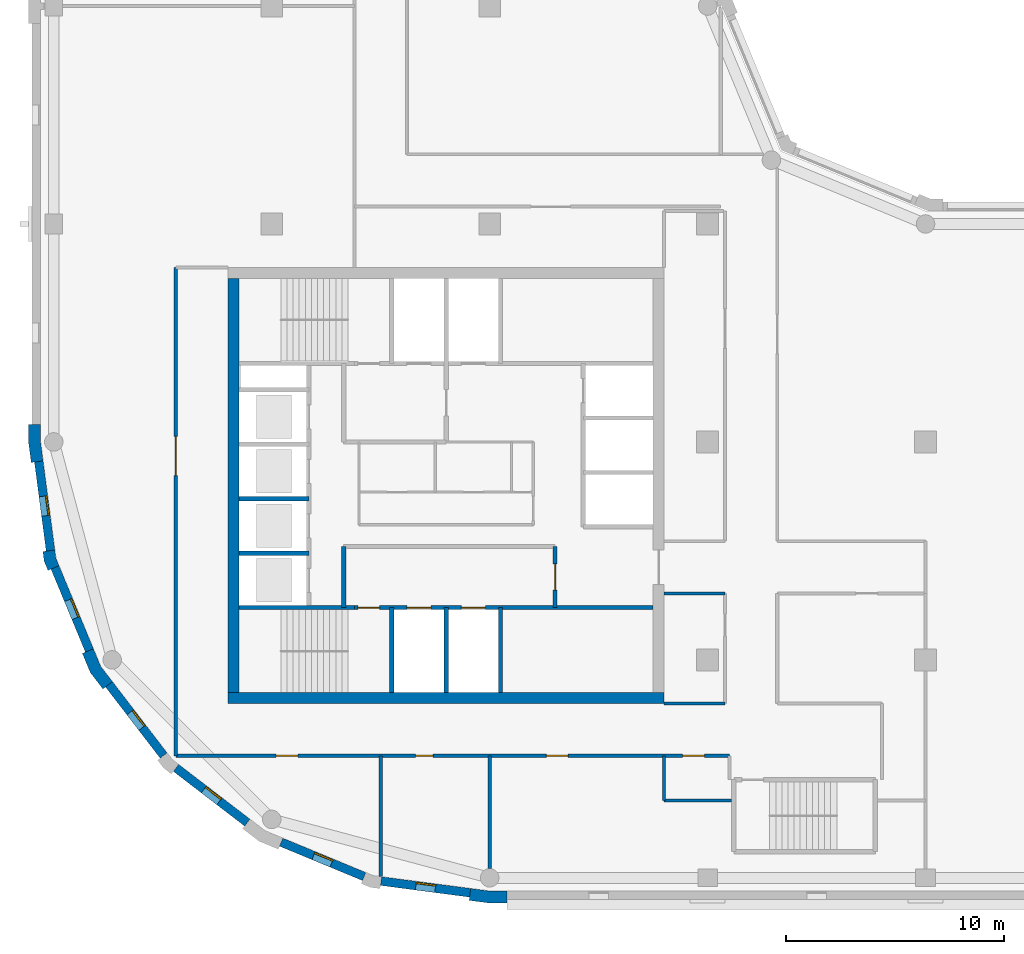
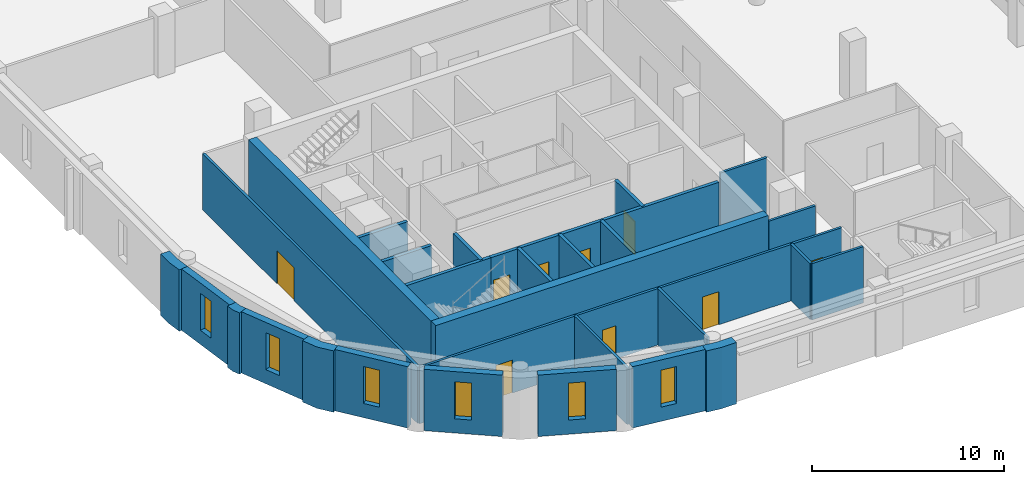
# One storey, part 2 of 9: 29 walls, 9 doors, 6 windows, 15 openings.
"""IFC4 building model written with IfcOpenShell, lengths in metres."""

from ifc_helpers import new_model, si_unit, direction, frame, frame_2d, origin, place, context, subcontext, project, spatial, polyline, rectangle, outline, extrude, material, layer, layer_set, type_object, element, fill, save


model = new_model("IFC4")

# Units and contexts
model_context = context("Model", 3, precision=1e-05, world=origin(), true_north=direction((0.0, 1.0)))
body_context = subcontext(model_context, "Body", "Model", "MODEL_VIEW")
ifc_project = project(units=[si_unit("LENGTHUNIT", "METRE"), si_unit("AREAUNIT", "SQUARE_METRE"), si_unit("VOLUMEUNIT", "CUBIC_METRE"), si_unit("PLANEANGLEUNIT", "RADIAN"), si_unit("MASSUNIT", "GRAM", prefix="KILO")], contexts=[model_context])

# Site, building, storey
site_placement = place(None, origin())
site = spatial("IfcSite", under=ifc_project, at=site_placement, CompositionType="ELEMENT")
building_placement = place(site_placement, origin())
building = spatial("IfcBuilding", under=site, at=building_placement, Name="Qaws Garden Tower", CompositionType="ELEMENT")
storey_placement = place(building_placement, frame((0.0, 0.0, 259.199951171875)))
storey = spatial("IfcBuildingStorey", under=building, at=storey_placement, Name="L62", CompositionType="ELEMENT", Elevation=259.199951171875)

# Wall, opening, window
ifc_material_1 = material(Name="Clay facing brick masonry", Category="masonry")
ifc_layer_1 = layer(ifc_material_1, 0.39990234375)
ifc_layer_set_1 = layer_set([ifc_layer_1], Name="Clay facing brick masonry")
wall_type_1 = type_object("IfcWallType", Name="Brick infill wall 400", PredefinedType="SOLIDWALL", material=ifc_layer_set_1)
wall_1_placement = place(storey_placement, frame((-0.688720703125, 19.102294921875, 0.0), z_axis=(0.0, 0.0, 1.0), x_axis=(0.130514280502, -0.991446429508, 0.0)))
wall_1 = element("IfcWall", 1, at=wall_1_placement, inside=storey, type_object=wall_type_1, Name="E-L62-infill-23", PredefinedType="SOLIDWALL", context=body_context, shape_type="SweptSolid", body=[
    extrude(rectangle(XDim=4.120849609375, YDim=0.39990234375, at=frame_2d((2.060546875, 0.0))), origin(), (0.0, 0.0, 1.0), 3.900146484375),
])
opening_1_placement = place(wall_1_placement, frame((1.610595703125, 0.0, 0.89990234375)))
opening_1 = element("IfcOpeningElement", 2, at=opening_1_placement, cuts=wall_1, Name="Opening W09", PredefinedType="OPENING", context=body_context, shape_type="SweptSolid", body=[
    extrude(rectangle(XDim=0.89990234375, YDim=2.35009765625, at=frame_2d((0.449951171875, 1.175048828125))), frame((0.0, 0.2099609375, 0.0), z_axis=(0.0, -1.0, 0.0), x_axis=(1.0, 0.0, 0.0)), (0.0, 0.0, 1.0), 0.419921875),
])
ifc_material_2 = material(Name="Aluminium framed window, clear glazing", Category="aluminium")
window_type = type_object("IfcWindowType", Name="Slit window 900 x 2350", PartitioningType="SINGLE_PANEL", PredefinedType="WINDOW", material=ifc_material_2)
window_1_placement = place(opening_1_placement, origin())
window_1 = element("IfcWindow", 3, at=window_1_placement, inside=storey, type_object=window_type, Name="E-L62-window-23-0", OverallHeight=2.35009765625, OverallWidth=0.89990234375, PartitioningType="SINGLE_PANEL", PredefinedType="WINDOW", context=body_context, shape_type="SweptSolid", body=[
    extrude(rectangle(XDim=0.89990234375, YDim=2.35009765625, at=frame_2d((0.449951171875, 1.175048828125))), frame((0.0, 0.159912109375, 0.0), z_axis=(0.0, -1.0, 0.0), x_axis=(1.0, 0.0, 0.0)), (0.0, 0.0, 1.0), 0.06005859375),
])
fill(opening_1, window_1)

wall_2_placement = place(storey_placement, frame((0.05712890625, 14.240234375, 0.0), z_axis=(0.0, 0.0, 1.0), x_axis=(0.382721546029, -0.923863744394, 0.0)))
wall_2 = element("IfcWall", 4, at=wall_2_placement, inside=storey, type_object=wall_type_1, Name="E-L62-infill-24", PredefinedType="SOLIDWALL", context=body_context, shape_type="SweptSolid", body=[
    extrude(rectangle(XDim=4.120849609375, YDim=0.39990234375, at=frame_2d((2.060546875, 0.0))), origin(), (0.0, 0.0, 1.0), 3.900146484375),
])
opening_2_placement = place(wall_2_placement, frame((1.610595703125, 0.0, 0.89990234375)))
opening_2 = element("IfcOpeningElement", 5, at=opening_2_placement, cuts=wall_2, Name="Opening W09", PredefinedType="OPENING", context=body_context, shape_type="SweptSolid", body=[
    extrude(rectangle(XDim=0.89990234375, YDim=2.35009765625, at=frame_2d((0.449951171875, 1.175048828125))), frame((0.0, 0.2099609375, 0.0), z_axis=(0.0, -1.0, 0.0), x_axis=(1.0, 0.0, 0.0)), (0.0, 0.0, 1.0), 0.419921875),
])
window_2_placement = place(opening_2_placement, origin())
window_2 = element("IfcWindow", 6, at=window_2_placement, inside=storey, type_object=window_type, Name="E-L62-window-24-0", OverallHeight=2.35009765625, OverallWidth=0.89990234375, PartitioningType="SINGLE_PANEL", PredefinedType="WINDOW", context=body_context, shape_type="SweptSolid", body=[
    extrude(rectangle(XDim=0.89990234375, YDim=2.35009765625, at=frame_2d((0.449951171875, 1.175048828125))), frame((0.0, 0.159912109375, 0.0), z_axis=(0.0, -1.0, 0.0), x_axis=(1.0, 0.0, 0.0)), (0.0, 0.0, 1.0), 0.06005859375),
])
fill(opening_2, window_2)

wall_3_placement = place(storey_placement, frame((2.53173828125, 8.87841796875, 0.0), z_axis=(0.0, 0.0, 1.0), x_axis=(0.608759824817, -0.793354571229, 0.0)))
wall_3 = element("IfcWall", 7, at=wall_3_placement, inside=storey, type_object=wall_type_1, Name="E-L62-infill-25", PredefinedType="SOLIDWALL", context=body_context, shape_type="SweptSolid", body=[
    extrude(rectangle(XDim=4.12109375, YDim=0.39990234375, at=frame_2d((2.060546875, 0.0))), origin(), (0.0, 0.0, 1.0), 3.900146484375),
])
opening_3_placement = place(wall_3_placement, frame((1.610595703125, 0.0, 0.89990234375)))
opening_3 = element("IfcOpeningElement", 8, at=opening_3_placement, cuts=wall_3, Name="Opening W09", PredefinedType="OPENING", context=body_context, shape_type="SweptSolid", body=[
    extrude(rectangle(XDim=0.89990234375, YDim=2.35009765625, at=frame_2d((0.449951171875, 1.175048828125))), frame((0.0, 0.2099609375, 0.0), z_axis=(0.0, -1.0, 0.0), x_axis=(1.0, 0.0, 0.0)), (0.0, 0.0, 1.0), 0.419921875),
])
window_3_placement = place(opening_3_placement, origin())
window_3 = element("IfcWindow", 9, at=window_3_placement, inside=storey, type_object=window_type, Name="E-L62-window-25-0", OverallHeight=2.35009765625, OverallWidth=0.89990234375, PartitioningType="SINGLE_PANEL", PredefinedType="WINDOW", context=body_context, shape_type="SweptSolid", body=[
    extrude(rectangle(XDim=0.89990234375, YDim=2.35009765625, at=frame_2d((0.449951171875, 1.175048828125))), frame((0.0, 0.159912109375, 0.0), z_axis=(0.0, -1.0, 0.0), x_axis=(1.0, 0.0, 0.0)), (0.0, 0.0, 1.0), 0.06005859375),
])
fill(opening_3, window_3)

wall_4_placement = place(storey_placement, frame((5.60888671875, 5.04052734375, 0.0), z_axis=(0.0, 0.0, 1.0), x_axis=(0.793354571229, -0.608759824817, 0.0)))
wall_4 = element("IfcWall", 10, at=wall_4_placement, inside=storey, type_object=wall_type_1, Name="E-L62-infill-26", PredefinedType="SOLIDWALL", context=body_context, shape_type="SweptSolid", body=[
    extrude(rectangle(XDim=4.12109375, YDim=0.39990234375, at=frame_2d((2.060546875, 0.0))), origin(), (0.0, 0.0, 1.0), 3.900146484375),
])
opening_4_placement = place(wall_4_placement, frame((1.610595703125, 0.0, 0.89990234375)))
opening_4 = element("IfcOpeningElement", 11, at=opening_4_placement, cuts=wall_4, Name="Opening W09", PredefinedType="OPENING", context=body_context, shape_type="SweptSolid", body=[
    extrude(rectangle(XDim=0.89990234375, YDim=2.35009765625, at=frame_2d((0.449951171875, 1.175048828125))), frame((0.0, 0.2099609375, 0.0), z_axis=(0.0, -1.0, 0.0), x_axis=(1.0, 0.0, 0.0)), (0.0, 0.0, 1.0), 0.419921875),
])
window_4_placement = place(opening_4_placement, origin())
window_4 = element("IfcWindow", 12, at=window_4_placement, inside=storey, type_object=window_type, Name="E-L62-window-26-0", OverallHeight=2.35009765625, OverallWidth=0.89990234375, PartitioningType="SINGLE_PANEL", PredefinedType="WINDOW", context=body_context, shape_type="SweptSolid", body=[
    extrude(rectangle(XDim=0.89990234375, YDim=2.35009765625, at=frame_2d((0.449951171875, 1.175048828125))), frame((0.0, 0.159912109375, 0.0), z_axis=(0.0, -1.0, 0.0), x_axis=(1.0, 0.0, 0.0)), (0.0, 0.0, 1.0), 0.06005859375),
])
fill(opening_4, window_4)

wall_5_placement = place(storey_placement, frame((10.43310546875, 1.63427734375, 0.0), z_axis=(0.0, 0.0, 1.0), x_axis=(0.923863744394, -0.382721546029, 0.0)))
wall_5 = element("IfcWall", 13, at=wall_5_placement, inside=storey, type_object=wall_type_1, Name="E-L62-infill-27", PredefinedType="SOLIDWALL", context=body_context, shape_type="SweptSolid", body=[
    extrude(rectangle(XDim=4.120849609375, YDim=0.39990234375, at=frame_2d((2.060546875, 0.0))), origin(), (0.0, 0.0, 1.0), 3.900146484375),
])
opening_5_placement = place(wall_5_placement, frame((1.610595703125, 0.0, 0.89990234375)))
opening_5 = element("IfcOpeningElement", 14, at=opening_5_placement, cuts=wall_5, Name="Opening W09", PredefinedType="OPENING", context=body_context, shape_type="SweptSolid", body=[
    extrude(rectangle(XDim=0.89990234375, YDim=2.35009765625, at=frame_2d((0.449951171875, 1.175048828125))), frame((0.0, 0.2099609375, 0.0), z_axis=(0.0, -1.0, 0.0), x_axis=(1.0, 0.0, 0.0)), (0.0, 0.0, 1.0), 0.419921875),
])
window_5_placement = place(opening_5_placement, origin())
window_5 = element("IfcWindow", 15, at=window_5_placement, inside=storey, type_object=window_type, Name="E-L62-window-27-0", OverallHeight=2.35009765625, OverallWidth=0.89990234375, PartitioningType="SINGLE_PANEL", PredefinedType="WINDOW", context=body_context, shape_type="SweptSolid", body=[
    extrude(rectangle(XDim=0.89990234375, YDim=2.35009765625, at=frame_2d((0.449951171875, 1.175048828125))), frame((0.0, 0.159912109375, 0.0), z_axis=(0.0, -1.0, 0.0), x_axis=(1.0, 0.0, 0.0)), (0.0, 0.0, 1.0), 0.06005859375),
])
fill(opening_5, window_5)

wall_6_placement = place(storey_placement, frame((15.0166015625, -0.15087890625, 0.0), z_axis=(0.0, 0.0, 1.0), x_axis=(0.991446429508, -0.130514280502, 0.0)))
wall_6 = element("IfcWall", 16, at=wall_6_placement, inside=storey, type_object=wall_type_1, Name="E-L62-infill-28", PredefinedType="SOLIDWALL", context=body_context, shape_type="SweptSolid", body=[
    extrude(rectangle(XDim=4.120849609375, YDim=0.39990234375, at=frame_2d((2.060546875, 0.0))), origin(), (0.0, 0.0, 1.0), 3.900146484375),
])
opening_6_placement = place(wall_6_placement, frame((1.610595703125, 0.0, 0.89990234375)))
opening_6 = element("IfcOpeningElement", 17, at=opening_6_placement, cuts=wall_6, Name="Opening W09", PredefinedType="OPENING", context=body_context, shape_type="SweptSolid", body=[
    extrude(rectangle(XDim=0.89990234375, YDim=2.35009765625, at=frame_2d((0.449951171875, 1.175048828125))), frame((0.0, 0.2099609375, 0.0), z_axis=(0.0, -1.0, 0.0), x_axis=(1.0, 0.0, 0.0)), (0.0, 0.0, 1.0), 0.419921875),
])
window_6_placement = place(opening_6_placement, origin())
window_6 = element("IfcWindow", 18, at=window_6_placement, inside=storey, type_object=window_type, Name="E-L62-window-28-0", OverallHeight=2.35009765625, OverallWidth=0.89990234375, PartitioningType="SINGLE_PANEL", PredefinedType="WINDOW", context=body_context, shape_type="SweptSolid", body=[
    extrude(rectangle(XDim=0.89990234375, YDim=2.35009765625, at=frame_2d((0.449951171875, 1.175048828125))), frame((0.0, 0.159912109375, 0.0), z_axis=(0.0, -1.0, 0.0), x_axis=(1.0, 0.0, 0.0)), (0.0, 0.0, 1.0), 0.06005859375),
])
fill(opening_6, window_6)

# Walls
ifc_material_3 = material(Name="Clay facing brick masonry", Category="masonry")
ifc_layer_2 = layer(ifc_material_3, 0.550048828125)
ifc_layer_set_2 = layer_set([ifc_layer_2], Name="Clay facing brick masonry")
wall_type_2 = type_object("IfcWallType", Name="Brick kink pier 550 x 600", PredefinedType="SOLIDWALL", material=ifc_layer_set_2)
placement = place(storey_placement, origin())
element("IfcWall", 19, at=placement, inside=storey, type_object=wall_type_2, Name="E-L62-pier-24", PredefinedType="SOLIDWALL", context=body_context, shape_type="SweptSolid", body=[
    extrude(outline(polyline([(-0.34912109375, 14.990478515625), (-0.497802734375, 14.970947265625), (-0.43896484375, 14.5234375), (-0.26611328125, 14.1064453125), (-0.127685546875, 14.163818359375), (0.241943359375, 14.31689453125), (0.096923828125, 14.6669921875), (0.04736328125, 15.042724609375), (-0.34912109375, 14.990478515625)])), origin(), (0.0, 0.0, 1.0), 3.900146484375),
])
ifc_material_4 = material(Name="Clay facing brick masonry", Category="masonry")
ifc_layer_3 = layer(ifc_material_4, 0.550048828125)
ifc_layer_set_3 = layer_set([ifc_layer_3], Name="Clay facing brick masonry")
wall_type_3 = type_object("IfcWallType", Name="Brick pier 550 x 1600", PredefinedType="SOLIDWALL", material=ifc_layer_set_3)
element("IfcWall", 20, at=placement, inside=storey, type_object=wall_type_3, Name="E-L62-pier-00", PredefinedType="SOLIDWALL", context=body_context, shape_type="SweptSolid", body=[
    extrude(outline(polyline([(19.076416015625, -0.886962890625), (19.056640625, -1.03564453125), (19.924560546875, -1.14990234375), (20.800048828125, -1.14990234375), (20.800048828125, -1.0), (20.800048828125, -0.60009765625), (19.960693359375, -0.60009765625), (19.12841796875, -0.490478515625), (19.076416015625, -0.886962890625)])), origin(), (0.0, 0.0, 1.0), 3.900146484375),
])
element("IfcWall", 21, at=placement, inside=storey, type_object=wall_type_3, Name="E-L62-pier-23", PredefinedType="SOLIDWALL", context=body_context, shape_type="SweptSolid", body=[
    extrude(outline(polyline([(-1.0, 20.800048828125), (-1.14990234375, 20.800048828125), (-1.14990234375, 19.924560546875), (-1.03564453125, 19.056640625), (-0.886962890625, 19.076416015625), (-0.490478515625, 19.12841796875), (-0.60009765625, 19.960693359375), (-0.60009765625, 20.800048828125), (-1.0, 20.800048828125)])), origin(), (0.0, 0.0, 1.0), 3.900146484375),
])
element("IfcWall", 22, at=placement, inside=storey, type_object=wall_type_3, Name="E-L62-pier-25", PredefinedType="SOLIDWALL", context=body_context, shape_type="SweptSolid", body=[
    extrude(outline(polyline([(1.449462890625, 10.3564453125), (1.310791015625, 10.299072265625), (1.675048828125, 9.419921875), (2.254150390625, 8.665283203125), (2.373046875, 8.756591796875), (2.6904296875, 9.0), (2.1552734375, 9.697509765625), (1.819091796875, 10.509521484375), (1.449462890625, 10.3564453125)])), origin(), (0.0, 0.0, 1.0), 3.900146484375),
])
ifc_material_5 = material(Name="Concrete C60", Category="concrete")
ifc_layer_4 = layer(ifc_material_5, 0.199951171875)
ifc_layer_set_4 = layer_set([ifc_layer_4], Name="Concrete C60")
wall_type_4 = type_object("IfcWallType", Name="Core shaft wall 200 C60", PredefinedType="SHEAR", material=ifc_layer_set_4)
wall_11_placement = place(storey_placement, frame((8.5, 12.39990234375, 0.0), z_axis=(0.0, 0.0, 1.0), x_axis=(1.0, 0.0, 0.0)))
element("IfcWall", 23, at=wall_11_placement, inside=storey, type_object=wall_type_4, Name="Shaft wall", PredefinedType="SHEAR", context=body_context, shape_type="SweptSolid", body=[
    extrude(rectangle(XDim=5.300048828125, YDim=0.199951171875, at=frame_2d((2.64990234375, 0.0))), origin(), (0.0, 0.0, 1.0), 3.580078125),
])

# Wall, openings, doors
wall_12_placement = place(storey_placement, frame((13.800048828125, 12.39990234375, 0.0), z_axis=(0.0, 0.0, 1.0), x_axis=(1.0, 0.0, 0.0)))
wall_12 = element("IfcWall", 24, at=wall_12_placement, inside=storey, type_object=wall_type_4, Name="Shaft wall", PredefinedType="SHEAR", context=body_context, shape_type="SweptSolid", body=[
    extrude(rectangle(XDim=13.699951171875, YDim=0.199951171875, at=frame_2d((6.85009765625, 0.0))), origin(), (0.0, 0.0, 1.0), 3.580078125),
])
opening_7_placement = place(wall_12_placement, frame((2.39990234375, 0.0, 0.0)))
opening_7 = element("IfcOpeningElement", 25, at=opening_7_placement, cuts=wall_12, Name="Opening LD06", PredefinedType="OPENING", context=body_context, shape_type="SweptSolid", body=[
    extrude(rectangle(XDim=1.10009765625, YDim=2.10009765625, at=frame_2d((0.550048828125, 1.050048828125))), frame((0.0, 0.10986328125, 0.0), z_axis=(0.0, -1.0, 0.0), x_axis=(1.0, 0.0, 0.0)), (0.0, 0.0, 1.0), 0.219970703125),
])
opening_8_placement = place(wall_12_placement, frame((4.89990234375, 0.0, 0.0)))
opening_8 = element("IfcOpeningElement", 26, at=opening_8_placement, cuts=wall_12, Name="Opening LD07", PredefinedType="OPENING", context=body_context, shape_type="SweptSolid", body=[
    extrude(rectangle(XDim=1.10009765625, YDim=2.10009765625, at=frame_2d((0.550048828125, 1.050048828125))), frame((0.0, 0.10986328125, 0.0), z_axis=(0.0, -1.0, 0.0), x_axis=(1.0, 0.0, 0.0)), (0.0, 0.0, 1.0), 0.219970703125),
])
opening_9_placement = place(wall_12_placement, frame((0.14990234375, 0.0, 0.0)))
opening_9 = element("IfcOpeningElement", 27, at=opening_9_placement, cuts=wall_12, Name="Opening SD10", PredefinedType="OPENING", context=body_context, shape_type="SweptSolid", body=[
    extrude(rectangle(XDim=1.0, YDim=2.10009765625, at=frame_2d((0.5, 1.050048828125))), frame((0.0, 0.10986328125, 0.0), z_axis=(0.0, -1.0, 0.0), x_axis=(1.0, 0.0, 0.0)), (0.0, 0.0, 1.0), 0.219970703125),
])
ifc_material_6 = material(Name="Steel S235", Category="steel")
door_type_1 = type_object("IfcDoorType", Name="Landing door 1100x2100", OperationType="DOUBLE_DOOR_SLIDING", PredefinedType="DOOR", material=ifc_material_6)
door_1_placement = place(opening_7_placement, origin())
door_1 = element("IfcDoor", 28, at=door_1_placement, inside=storey, type_object=door_type_1, Name="Lift FF1 landing door", OperationType="DOUBLE_DOOR_SLIDING", OverallHeight=2.10009765625, OverallWidth=1.10009765625, PredefinedType="DOOR", context=body_context, shape_type="SweptSolid", body=[
    extrude(rectangle(XDim=1.10009765625, YDim=2.10009765625, at=frame_2d((0.550048828125, 1.050048828125))), frame((0.0, 0.02490234375, 0.0), z_axis=(0.0, -1.0, 0.0), x_axis=(1.0, 0.0, 0.0)), (0.0, 0.0, 1.0), 0.050048828125),
])
fill(opening_7, door_1)
door_2_placement = place(opening_8_placement, origin())
door_2 = element("IfcDoor", 29, at=door_2_placement, inside=storey, type_object=door_type_1, Name="Lift FF2 landing door", OperationType="DOUBLE_DOOR_SLIDING", OverallHeight=2.10009765625, OverallWidth=1.10009765625, PredefinedType="DOOR", context=body_context, shape_type="SweptSolid", body=[
    extrude(rectangle(XDim=1.10009765625, YDim=2.10009765625, at=frame_2d((0.550048828125, 1.050048828125))), frame((0.0, 0.02490234375, 0.0), z_axis=(0.0, -1.0, 0.0), x_axis=(1.0, 0.0, 0.0)), (0.0, 0.0, 1.0), 0.050048828125),
])
fill(opening_8, door_2)
ifc_material_7 = material(Name="Steel S235", Category="steel")
door_type_2 = type_object("IfcDoorType", Name="Stair door 1000x2100", OperationType="SINGLE_SWING_RIGHT", PredefinedType="DOOR", material=ifc_material_7)
door_3_placement = place(opening_9_placement, frame((1.0, 0.0, 0.0), z_axis=(0.0, 0.0, 1.0), x_axis=(-1.0, 0.0, 0.0)))
door_3 = element("IfcDoor", 30, at=door_3_placement, inside=storey, type_object=door_type_2, Name="Stair 1 door", OperationType="SINGLE_SWING_LEFT", OverallHeight=2.10009765625, OverallWidth=1.0, PredefinedType="DOOR", context=body_context, shape_type="SweptSolid", body=[
    extrude(rectangle(XDim=1.0, YDim=2.10009765625, at=frame_2d((0.5, 1.050048828125))), frame((0.0, 0.02490234375, 0.0), z_axis=(0.0, -1.0, 0.0), x_axis=(1.0, 0.0, 0.0)), (0.0, 0.0, 1.0), 0.050048828125),
])
fill(opening_9, door_3)

# Walls
for number, where, z_axis, x_axis, name in (
    (31, (8.5, 14.89990234375, 0.0), (0.0, 0.0, 1.0), (1.0, 0.0, 0.0), "Shaft wall"),
    (32, (8.5, 17.39990234375, 0.0), (0.0, 0.0, 1.0), (1.0, 0.0, 0.0), "Shaft wall"),
):
    element("IfcWall", number, at=place(storey_placement, frame(where, z_axis=z_axis, x_axis=x_axis)), inside=storey, type_object=wall_type_4, Name=name, PredefinedType="SHEAR", context=body_context, shape_type="SweptSolid", body=[
        extrude(rectangle(XDim=3.199951171875, YDim=0.199951171875, at=frame_2d((1.60009765625, 0.0))), origin(), (0.0, 0.0, 1.0), 3.580078125),
    ])
wall_13_placement = place(storey_placement, frame((13.300048828125, 12.39990234375, 0.0), z_axis=(0.0, 0.0, 1.0), x_axis=(0.0, 1.0, 0.0)))
element("IfcWall", 33, at=wall_13_placement, inside=storey, type_object=wall_type_4, Name="Shaft wall", PredefinedType="SHEAR", context=body_context, shape_type="SweptSolid", body=[
    extrude(rectangle(XDim=2.800048828125, YDim=0.199951171875, at=frame_2d((1.39990234375, 0.0))), origin(), (0.0, 0.0, 1.0), 3.580078125),
])
for number, where, z_axis, x_axis, name in (
    (34, (15.5, 8.5, 0.0), (0.0, 0.0, 1.0), (0.0, 1.0, 0.0), "Shaft wall"),
    (35, (18.0, 8.5, 0.0), (0.0, 0.0, 1.0), (0.0, 1.0, 0.0), "Shaft wall"),
    (36, (20.5, 8.5, 0.0), (0.0, 0.0, 1.0), (0.0, 1.0, 0.0), "Shaft wall"),
):
    element("IfcWall", number, at=place(storey_placement, frame(where, z_axis=z_axis, x_axis=x_axis)), inside=storey, type_object=wall_type_4, Name=name, PredefinedType="SHEAR", context=body_context, shape_type="SweptSolid", body=[
        extrude(rectangle(XDim=3.89990234375, YDim=0.199951171875, at=frame_2d((1.949951171875, 0.0))), origin(), (0.0, 0.0, 1.0), 3.580078125),
    ])

# Wall, opening, door
wall_14_placement = place(storey_placement, frame((23.0, 12.39990234375, 0.0), z_axis=(0.0, 0.0, 1.0), x_axis=(0.0, 1.0, 0.0)))
wall_14 = element("IfcWall", 37, at=wall_14_placement, inside=storey, type_object=wall_type_4, Name="Shaft wall", PredefinedType="SHEAR", context=body_context, shape_type="SweptSolid", body=[
    extrude(rectangle(XDim=2.800048828125, YDim=0.199951171875, at=frame_2d((1.39990234375, 0.0))), origin(), (0.0, 0.0, 1.0), 3.580078125),
])
opening_10_placement = place(wall_14_placement, frame((0.800048828125, 0.0, 0.0)))
opening_10 = element("IfcOpeningElement", 38, at=opening_10_placement, cuts=wall_14, Name="Opening FD15", PredefinedType="OPENING", context=body_context, shape_type="SweptSolid", body=[
    extrude(rectangle(XDim=1.199951171875, YDim=2.10009765625, at=frame_2d((0.60009765625, 1.050048828125))), frame((0.0, 0.10986328125, 0.0), z_axis=(0.0, -1.0, 0.0), x_axis=(1.0, 0.0, 0.0)), (0.0, 0.0, 1.0), 0.219970703125),
])
ifc_material_8 = material(Name="Steel S235", Category="steel")
door_type_3 = type_object("IfcDoorType", Name="Lobby door 1200x2100", OperationType="DOUBLE_DOOR_SINGLE_SWING", PredefinedType="DOOR", material=ifc_material_8)
door_4_placement = place(opening_10_placement, origin())
door_4 = element("IfcDoor", 39, at=door_4_placement, inside=storey, type_object=door_type_3, Name="Fire-fighting lobby door", OperationType="DOUBLE_DOOR_SINGLE_SWING", OverallHeight=2.10009765625, OverallWidth=1.199951171875, PredefinedType="DOOR", context=body_context, shape_type="SweptSolid", body=[
    extrude(rectangle(XDim=1.199951171875, YDim=2.10009765625, at=frame_2d((0.60009765625, 1.050048828125))), frame((0.0, 0.02490234375, 0.0), z_axis=(0.0, -1.0, 0.0), x_axis=(1.0, 0.0, 0.0)), (0.0, 0.0, 1.0), 0.050048828125),
])
fill(opening_10, door_4)

# Walls
ifc_material_9 = material(Name="Concrete C60", Category="concrete")
ifc_layer_5 = layer(ifc_material_9, 0.5)
ifc_layer_set_5 = layer_set([ifc_layer_5], Name="Concrete C60")
wall_type_5 = type_object("IfcWallType", Name="Core wall 500 C60", PredefinedType="SHEAR", material=ifc_layer_set_5)
wall_15_placement = place(storey_placement, frame((8.0, 8.25, 0.0), z_axis=(0.0, 0.0, 1.0), x_axis=(1.0, 0.0, 0.0)))
element("IfcWall", 40, at=wall_15_placement, inside=storey, type_object=wall_type_5, Name="Core wall L62 south", PredefinedType="SHEAR", context=body_context, shape_type="SweptSolid", body=[
    extrude(rectangle(XDim=20.0, YDim=0.5, at=frame_2d((10.0, 0.0))), origin(), (0.0, 0.0, 1.0), 3.900146484375),
])
wall_16_placement = place(storey_placement, frame((8.25, 27.5, 0.0), z_axis=(0.0, 0.0, 1.0), x_axis=(0.0, -1.0, 0.0)))
element("IfcWall", 41, at=wall_16_placement, inside=storey, type_object=wall_type_5, Name="Core wall L62 west", PredefinedType="SHEAR", context=body_context, shape_type="SweptSolid", body=[
    extrude(rectangle(XDim=19.0, YDim=0.5, at=frame_2d((9.5, 0.0))), origin(), (0.0, 0.0, 1.0), 3.900146484375),
])

# Wall, opening, door
ifc_material_10 = material(Name="Gypsum board partition")
ifc_layer_6 = layer(ifc_material_10, 0.14990234375)
ifc_layer_set_6 = layer_set([ifc_layer_6], Name="Gypsum board partition")
wall_type_6 = type_object("IfcWallType", Name="PARTITION 150 EI 60", PredefinedType="PARTITIONING", material=ifc_layer_set_6)
wall_17_placement = place(storey_placement, frame((5.60009765625, 5.60009765625, 0.0), z_axis=(0.0, 0.0, 1.0), x_axis=(0.0, 1.0, 0.0)))
wall_17 = element("IfcWall", 42, at=wall_17_placement, inside=storey, type_object=wall_type_6, Name="O-L62-wall-004", PredefinedType="PARTITIONING", context=body_context, shape_type="SweptSolid", body=[
    extrude(rectangle(XDim=22.39990234375, YDim=0.14990234375, at=frame_2d((11.199951171875, 0.0))), origin(), (0.0, 0.0, 1.0), 3.580078125),
])
opening_11_placement = place(wall_17_placement, frame((12.85009765625, 0.0, 0.0)))
opening_11 = element("IfcOpeningElement", 43, at=opening_11_placement, cuts=wall_17, Name="Opening C114", PredefinedType="OPENING", context=body_context, shape_type="SweptSolid", body=[
    extrude(rectangle(XDim=1.800048828125, YDim=2.10009765625, at=frame_2d((0.89990234375, 1.050048828125))), frame((0.0, 0.0849609375, 0.0), z_axis=(0.0, -1.0, 0.0), x_axis=(1.0, 0.0, 0.0)), (0.0, 0.0, 1.0), 0.169921875),
])
ifc_material_11 = material(Name="Timber door leaf", Category="wood")
door_type_4 = type_object("IfcDoorType", Name="DOUBLE DOOR 1800 X 2100", OperationType="DOUBLE_DOOR_SINGLE_SWING", PredefinedType="DOOR", material=ifc_material_11)
door_5_placement = place(opening_11_placement, origin())
door_5 = element("IfcDoor", 44, at=door_5_placement, inside=storey, type_object=door_type_4, Name="O-L62-door-014", OperationType="DOUBLE_DOOR_SINGLE_SWING", OverallHeight=2.10009765625, OverallWidth=1.800048828125, PredefinedType="DOOR", context=body_context, shape_type="SweptSolid", body=[
    extrude(rectangle(XDim=1.800048828125, YDim=2.10009765625, at=frame_2d((0.89990234375, 1.050048828125))), frame((0.0, 0.02490234375, 0.0), z_axis=(0.0, -1.0, 0.0), x_axis=(1.0, 0.0, 0.0)), (0.0, 0.0, 1.0), 0.050048828125),
])
fill(opening_11, door_5)

# Walls
wall_18_placement = place(storey_placement, frame((15.0, 0.06298828125, 0.0), z_axis=(0.0, 0.0, 1.0), x_axis=(0.0, 1.0, 0.0)))
element("IfcWall", 45, at=wall_18_placement, inside=storey, type_object=wall_type_6, Name="O-L62-wall-007", PredefinedType="PARTITIONING", context=body_context, shape_type="SweptSolid", body=[
    extrude(rectangle(XDim=5.537109375, YDim=0.14990234375, at=frame_2d((2.7685546875, 0.0))), origin(), (0.0, 0.0, 1.0), 3.580078125),
])
wall_19_placement = place(storey_placement, frame((20.0, 0.425048828125, 0.0), z_axis=(0.0, 0.0, 1.0), x_axis=(0.0, 1.0, 0.0)))
element("IfcWall", 46, at=wall_19_placement, inside=storey, type_object=wall_type_6, Name="O-L62-wall-009", PredefinedType="PARTITIONING", context=body_context, shape_type="SweptSolid", body=[
    extrude(rectangle(XDim=5.175048828125, YDim=0.14990234375, at=frame_2d((2.58740234375, 0.0))), origin(), (0.0, 0.0, 1.0), 3.580078125),
])
wall_20_placement = place(storey_placement, frame((28.0, 3.550048828125, 0.0), z_axis=(0.0, 0.0, 1.0), x_axis=(0.0, 1.0, 0.0)))
element("IfcWall", 47, at=wall_20_placement, inside=storey, type_object=wall_type_6, Name="O-L62-wall-010", PredefinedType="PARTITIONING", context=body_context, shape_type="SweptSolid", body=[
    extrude(rectangle(XDim=2.050048828125, YDim=0.14990234375, at=frame_2d((1.02490234375, 0.0))), origin(), (0.0, 0.0, 1.0), 3.580078125),
])
wall_21_placement = place(storey_placement, frame((28.0, 3.550048828125, 0.0), z_axis=(0.0, 0.0, 1.0), x_axis=(1.0, 0.0, 0.0)))
element("IfcWall", 48, at=wall_21_placement, inside=storey, type_object=wall_type_6, Name="O-L62-wall-019", PredefinedType="PARTITIONING", context=body_context, shape_type="SweptSolid", body=[
    extrude(rectangle(XDim=3.10009765625, YDim=0.14990234375, at=frame_2d((1.550048828125, 0.0))), origin(), (0.0, 0.0, 1.0), 3.580078125),
])

# Wall, openings, doors
wall_22_placement = place(storey_placement, frame((5.60009765625, 5.60009765625, 0.0), z_axis=(0.0, 0.0, 1.0), x_axis=(1.0, 0.0, 0.0)))
wall_22 = element("IfcWall", 49, at=wall_22_placement, inside=storey, type_object=wall_type_6, Name="O-L62-wall-021", PredefinedType="PARTITIONING", context=body_context, shape_type="SweptSolid", body=[
    extrude(rectangle(XDim=25.39990234375, YDim=0.14990234375, at=frame_2d((12.699951171875, 0.0))), origin(), (0.0, 0.0, 1.0), 3.580078125),
])
opening_12_placement = place(wall_22_placement, frame((4.60009765625, 0.0, 0.0)))
opening_12 = element("IfcOpeningElement", 50, at=opening_12_placement, cuts=wall_22, Name="Opening C101", PredefinedType="OPENING", context=body_context, shape_type="SweptSolid", body=[
    extrude(rectangle(XDim=1.0, YDim=2.10009765625, at=frame_2d((0.5, 1.050048828125))), frame((0.0, 0.0849609375, 0.0), z_axis=(0.0, -1.0, 0.0), x_axis=(1.0, 0.0, 0.0)), (0.0, 0.0, 1.0), 0.169921875),
])
opening_13_placement = place(wall_22_placement, frame((11.0, 0.0, 0.0)))
opening_13 = element("IfcOpeningElement", 51, at=opening_13_placement, cuts=wall_22, Name="Opening C102", PredefinedType="OPENING", context=body_context, shape_type="SweptSolid", body=[
    extrude(rectangle(XDim=0.800048828125, YDim=2.10009765625, at=frame_2d((0.39990234375, 1.050048828125))), frame((0.0, 0.0849609375, 0.0), z_axis=(0.0, -1.0, 0.0), x_axis=(1.0, 0.0, 0.0)), (0.0, 0.0, 1.0), 0.169921875),
])
opening_14_placement = place(wall_22_placement, frame((17.0, 0.0, 0.0)))
opening_14 = element("IfcOpeningElement", 52, at=opening_14_placement, cuts=wall_22, Name="Opening C108", PredefinedType="OPENING", context=body_context, shape_type="SweptSolid", body=[
    extrude(rectangle(XDim=1.0, YDim=2.10009765625, at=frame_2d((0.5, 1.050048828125))), frame((0.0, 0.0849609375, 0.0), z_axis=(0.0, -1.0, 0.0), x_axis=(1.0, 0.0, 0.0)), (0.0, 0.0, 1.0), 0.169921875),
])
opening_15_placement = place(wall_22_placement, frame((23.25, 0.0, 0.0)))
opening_15 = element("IfcOpeningElement", 53, at=opening_15_placement, cuts=wall_22, Name="Opening C111", PredefinedType="OPENING", context=body_context, shape_type="SweptSolid", body=[
    extrude(rectangle(XDim=1.0, YDim=2.10009765625, at=frame_2d((0.5, 1.050048828125))), frame((0.0, 0.0849609375, 0.0), z_axis=(0.0, -1.0, 0.0), x_axis=(1.0, 0.0, 0.0)), (0.0, 0.0, 1.0), 0.169921875),
])
ifc_material_12 = material(Name="Timber door leaf", Category="wood")
door_type_5 = type_object("IfcDoorType", Name="STORE DOOR 800 X 2100", OperationType="SINGLE_SWING_LEFT", PredefinedType="DOOR", material=ifc_material_12)
door_6_placement = place(opening_13_placement, frame((0.800048828125, 0.0, 0.0), z_axis=(0.0, 0.0, 1.0), x_axis=(-1.0, 0.0, 0.0)))
door_6 = element("IfcDoor", 54, at=door_6_placement, inside=storey, type_object=door_type_5, Name="O-L62-door-002", OperationType="SINGLE_SWING_LEFT", OverallHeight=2.10009765625, OverallWidth=0.800048828125, PredefinedType="DOOR", context=body_context, shape_type="SweptSolid", body=[
    extrude(rectangle(XDim=0.800048828125, YDim=2.10009765625, at=frame_2d((0.39990234375, 1.050048828125))), frame((0.0, 0.02490234375, 0.0), z_axis=(0.0, -1.0, 0.0), x_axis=(1.0, 0.0, 0.0)), (0.0, 0.0, 1.0), 0.050048828125),
])
fill(opening_13, door_6)
ifc_material_13 = material(Name="Timber door leaf", Category="wood")
door_type_6 = type_object("IfcDoorType", Name="TENANCY ENTRANCE DOOR 1000 X 2100", OperationType="SINGLE_SWING_LEFT", PredefinedType="DOOR", material=ifc_material_13)
door_7_placement = place(opening_12_placement, frame((1.0, 0.0, 0.0), z_axis=(0.0, 0.0, 1.0), x_axis=(-1.0, 0.0, 0.0)))
door_7 = element("IfcDoor", 55, at=door_7_placement, inside=storey, type_object=door_type_6, Name="O-L62-door-001", OperationType="SINGLE_SWING_LEFT", OverallHeight=2.10009765625, OverallWidth=1.0, PredefinedType="DOOR", context=body_context, shape_type="SweptSolid", body=[
    extrude(rectangle(XDim=1.0, YDim=2.10009765625, at=frame_2d((0.5, 1.050048828125))), frame((0.0, 0.02490234375, 0.0), z_axis=(0.0, -1.0, 0.0), x_axis=(1.0, 0.0, 0.0)), (0.0, 0.0, 1.0), 0.050048828125),
])
fill(opening_12, door_7)
door_8_placement = place(opening_14_placement, frame((1.0, 0.0, 0.0), z_axis=(0.0, 0.0, 1.0), x_axis=(-1.0, 0.0, 0.0)))
door_8 = element("IfcDoor", 56, at=door_8_placement, inside=storey, type_object=door_type_6, Name="O-L62-door-008", OperationType="SINGLE_SWING_LEFT", OverallHeight=2.10009765625, OverallWidth=1.0, PredefinedType="DOOR", context=body_context, shape_type="SweptSolid", body=[
    extrude(rectangle(XDim=1.0, YDim=2.10009765625, at=frame_2d((0.5, 1.050048828125))), frame((0.0, 0.02490234375, 0.0), z_axis=(0.0, -1.0, 0.0), x_axis=(1.0, 0.0, 0.0)), (0.0, 0.0, 1.0), 0.050048828125),
])
fill(opening_14, door_8)
door_9_placement = place(opening_15_placement, frame((1.0, 0.0, 0.0), z_axis=(0.0, 0.0, 1.0), x_axis=(-1.0, 0.0, 0.0)))
door_9 = element("IfcDoor", 57, at=door_9_placement, inside=storey, type_object=door_type_6, Name="O-L62-door-011", OperationType="SINGLE_SWING_RIGHT", OverallHeight=2.10009765625, OverallWidth=1.0, PredefinedType="DOOR", context=body_context, shape_type="SweptSolid", body=[
    extrude(rectangle(XDim=1.0, YDim=2.10009765625, at=frame_2d((0.5, 1.050048828125))), frame((0.0, 0.02490234375, 0.0), z_axis=(0.0, -1.0, 0.0), x_axis=(1.0, 0.0, 0.0)), (0.0, 0.0, 1.0), 0.050048828125),
])
fill(opening_15, door_9)

# Walls
for number, where, z_axis, x_axis, name in (
    (58, (28.0, 8.0, 0.0), (0.0, 0.0, 1.0), (1.0, 0.0, 0.0), "O-L62-wall-022"),
    (59, (28.0, 13.050048828125, 0.0), (0.0, 0.0, 1.0), (1.0, 0.0, 0.0), "O-L62-wall-024"),
):
    element("IfcWall", number, at=place(storey_placement, frame(where, z_axis=z_axis, x_axis=x_axis)), inside=storey, type_object=wall_type_6, Name=name, PredefinedType="PARTITIONING", context=body_context, shape_type="SweptSolid", body=[
        extrude(rectangle(XDim=2.800048828125, YDim=0.14990234375, at=frame_2d((1.39990234375, 0.0))), origin(), (0.0, 0.0, 1.0), 3.580078125),
    ])

save(model, "model.ifc")
